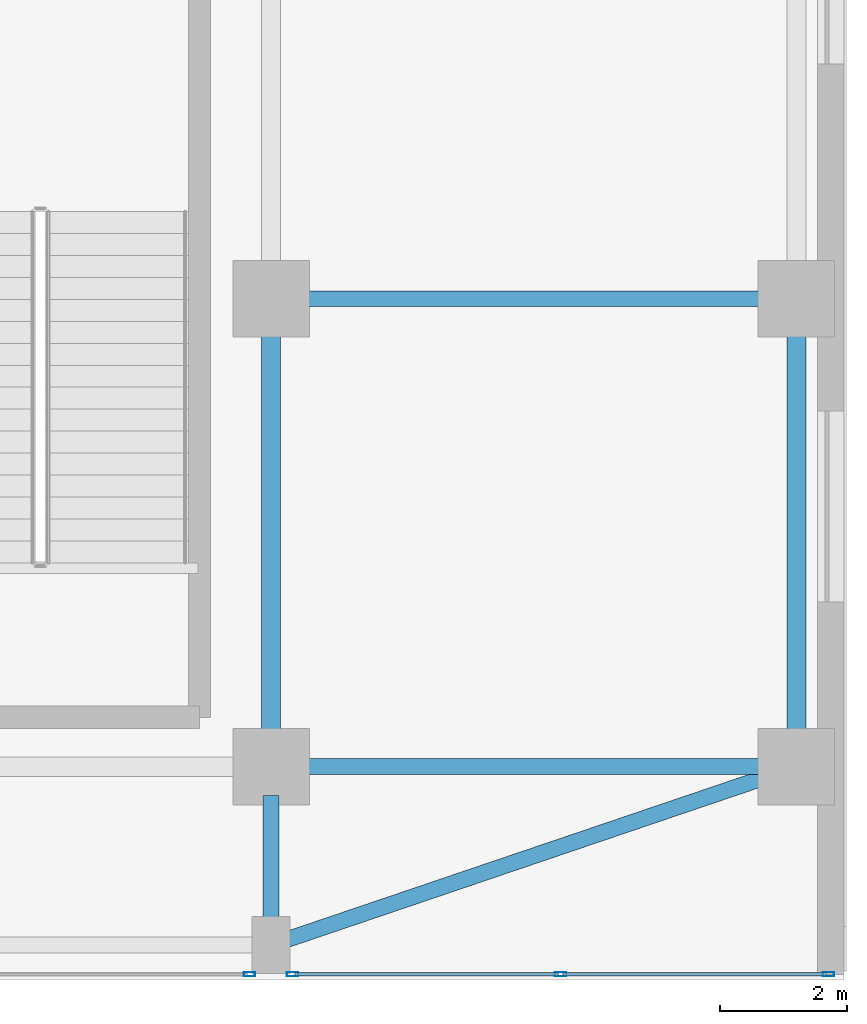
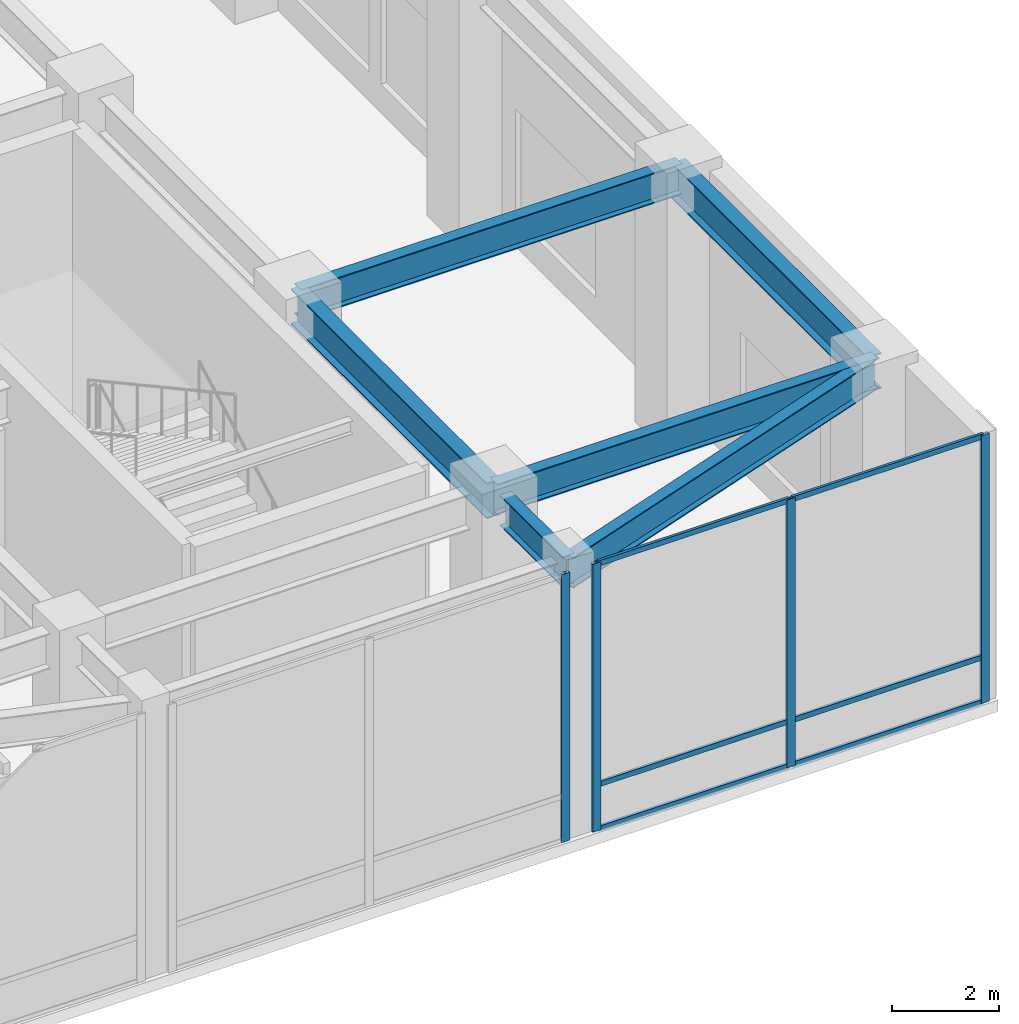
# One storey, part 34 of 50: 10 members, 6 beams, 2 elements without a shape of their own.
"""IFC4 building model written with IfcOpenShell, lengths in metres."""

from ifc_helpers import new_model, si_unit, direction, frame, origin, origin_2d, place, context, subcontext, project, spatial, hollow_rectangle, i_section, extrude, source, transform, mapped, material, layer, layer_set, material_profile, profile_set, type_object, type_shapes, element, aggregate, save


model = new_model("IFC4")

# Units and contexts
model_context = context("Model", 3, precision=1e-05, world=origin(), true_north=direction((0.0, 1.0)))
body_context = subcontext(model_context, "Body", "Model", "MODEL_VIEW")
ifc_project = project(units=[si_unit("LENGTHUNIT", "METRE"), si_unit("AREAUNIT", "SQUARE_METRE"), si_unit("VOLUMEUNIT", "CUBIC_METRE"), si_unit("PLANEANGLEUNIT", "RADIAN"), si_unit("MASSUNIT", "GRAM", prefix="KILO")], contexts=[model_context])

# Site, building, storey
site_placement = place(None, origin())
site = spatial("IfcSite", under=ifc_project, at=site_placement, CompositionType="ELEMENT")
building_placement = place(site_placement, origin())
building = spatial("IfcBuilding", under=site, at=building_placement, Name="Tolvann Quenvar Hotel", CompositionType="ELEMENT")
storey_placement = place(building_placement, frame((0.0, 0.0, 16.0)))
storey = spatial("IfcBuildingStorey", under=building, at=storey_placement, Name="L03", CompositionType="ELEMENT", Elevation=16.0)

# Beams
ifc_material_1 = material(Name="Steel Grade 350", Category="steel")
ifc_material_profile_1 = material_profile(ifc_material_1, i_section(OverallWidth=0.300048828125, OverallDepth=0.81591796875, WebThickness=0.010009765625, FlangeThickness=0.028076171875, at=origin_2d()), Name="800WB192")
ifc_profile_set_1 = profile_set([ifc_material_profile_1], Name="Steel Grade 350")
beam_type_1 = type_object("IfcBeamType", Name="BM_GIRD_800WB192", PredefinedType="BEAM", material=ifc_profile_set_1)
shared_shape_1 = source(origin(), body_context, "Body", "SweptSolid", [
    extrude(i_section(OverallWidth=0.300048828125, OverallDepth=0.81591796875, WebThickness=0.010009765625, FlangeThickness=0.028076171875, at=origin_2d()), origin(), (0.0, 0.0, 1.0), 7.349853515625),
])
type_shapes(beam_type_1, [shared_shape_1])
for number, where, z_axis, x_axis, name in (
    (1, (56.39990234375, 0.85009765625, 5.73193359375), (0.0, 1.0, 0.0), (-1.0, 0.0, 0.0), "BM-L03-NS-J-0"),
    (2, (64.64990234375, 0.85009765625, 5.73193359375), (0.0, 1.0, 0.0), (-1.0, 0.0, 0.0), "BM-L03-NS-K-0"),
):
    element("IfcBeam", number, at=place(storey_placement, frame(where, z_axis=z_axis, x_axis=x_axis)), inside=storey, type_object=beam_type_1, Name=name, PredefinedType="BEAM", context=body_context, shape_type="MappedRepresentation", body=[
        mapped(shared_shape_1, transform((0.0, 0.0, 0.0), x_axis=(1.0, 0.0, 0.0), y_axis=(0.0, 1.0, 0.0), z_axis=(0.0, 0.0, 1.0), scale=1.0)),
    ])
ifc_material_profile_2 = material_profile(ifc_material_1, i_section(OverallWidth=0.25, OverallDepth=0.699951171875, WebThickness=0.010009765625, FlangeThickness=0.02392578125, at=origin_2d()), Name="700WB150")
ifc_profile_set_2 = profile_set([ifc_material_profile_2], Name="Steel Grade 350")
beam_type_2 = type_object("IfcBeamType", Name="BM_GIRD_700WB150", PredefinedType="BEAM", material=ifc_profile_set_2)
shared_shape_2 = source(origin(), body_context, "Body", "SweptSolid", [
    extrude(i_section(OverallWidth=0.25, OverallDepth=0.699951171875, WebThickness=0.010009765625, FlangeThickness=0.02392578125, at=origin_2d()), origin(), (0.0, 0.0, 1.0), 8.25),
])
for number, where, z_axis, x_axis, name in (
    (3, (56.39990234375, 0.85009765625, 5.7900390625), (1.0, 0.0, 0.0), (0.0, 1.0, 0.0), "BM-L03-GE3-1"),
    (4, (56.39990234375, 8.199951171875, 5.7900390625), (1.0, 0.0, 0.0), (0.0, 1.0, 0.0), "BM-L03-GE3-2"),
):
    element("IfcBeam", number, at=place(storey_placement, frame(where, z_axis=z_axis, x_axis=x_axis)), inside=storey, type_object=beam_type_2, Name=name, PredefinedType="BEAM", context=body_context, shape_type="MappedRepresentation", body=[
        mapped(shared_shape_2, transform((0.0, 0.0, 0.0), x_axis=(1.0, 0.0, 0.0), y_axis=(0.0, 1.0, 0.0), z_axis=(0.0, 0.0, 1.0), scale=1.0)),
    ])
shared_shape_3 = source(origin(), body_context, "Body", "SweptSolid", [
    extrude(i_section(OverallWidth=0.25, OverallDepth=0.699951171875, WebThickness=0.010009765625, FlangeThickness=0.02392578125, at=origin_2d()), origin(), (0.0, 0.0, 1.0), 2.349853515625),
])
beam_1_placement = place(storey_placement, frame((56.39990234375, -1.949951171875, 5.7900390625), z_axis=(0.0, 1.0, 0.0), x_axis=(-1.0, 0.0, 0.0)))
element("IfcBeam", 5, at=beam_1_placement, inside=storey, type_object=beam_type_2, Name="BM-L03-NSS-J", PredefinedType="BEAM", context=body_context, shape_type="MappedRepresentation", body=[
    mapped(shared_shape_3, transform((0.0, 0.0, 0.0), x_axis=(1.0, 0.0, 0.0), y_axis=(0.0, 1.0, 0.0), z_axis=(0.0, 0.0, 1.0), scale=1.0)),
])
shared_shape_4 = source(origin(), body_context, "Body", "SweptSolid", [
    extrude(i_section(OverallWidth=0.25, OverallDepth=0.699951171875, WebThickness=0.010009765625, FlangeThickness=0.02392578125, at=origin_2d()), origin(), (0.0, 0.0, 1.0), 8.712158203125),
])
type_shapes(beam_type_2, [shared_shape_2, shared_shape_3, shared_shape_4])
beam_2_placement = place(storey_placement, frame((56.39990234375, -1.949951171875, 5.7900390625), z_axis=(0.946945808453, 0.32139327288, 0.0), x_axis=(-0.32139327288, 0.946945808453, 0.0)))
element("IfcBeam", 6, at=beam_2_placement, inside=storey, type_object=beam_type_2, Name="BM-L03-EWS-E2", PredefinedType="BEAM", context=body_context, shape_type="MappedRepresentation", body=[
    mapped(shared_shape_4, transform((0.0, 0.0, 0.0), x_axis=(1.0, 0.0, 0.0), y_axis=(0.0, 1.0, 0.0), z_axis=(0.0, 0.0, 1.0), scale=1.0)),
])

# Curtain wall, members
ifc_material_2 = material(Name="Thermally broken anodised architectural aluminium 6063-T6 and laminated low-E glass", Category="aluminium")
ifc_layer = layer(ifc_material_2, 0.179931640625)
ifc_layer_set = layer_set([ifc_layer], Name="Thermally broken anodised architectural aluminium 6063-T6 and laminated low-E glass")
curtain_wall_type = type_object("IfcCurtainWallType", Name="CW_SYS_BALL_02", PredefinedType="USERDEFINED", material=ifc_layer_set)
curtain_wall_1_placement = place(storey_placement, origin())
curtain_wall_1 = element("IfcCurtainWall", 7, at=curtain_wall_1_placement, inside=storey, type_object=curtain_wall_type, Name="Curtain Wall CW-BALL-02 (CWR-L03-E04-S3)", ObjectType="UNITISED CURTAIN WALL", PredefinedType="USERDEFINED")
ifc_material_3 = material(Name="Anodised architectural aluminium 6063-T6 framing", Category="aluminium")
ifc_material_profile_3 = material_profile(ifc_material_3, hollow_rectangle(XDim=0.06005859375, YDim=0.1201171875, WallThickness=0.00341796875, at=origin_2d()), Name="120x60x3.5RHS")
ifc_profile_set_3 = profile_set([ifc_material_profile_3], Name="Anodised architectural aluminium 6063-T6 framing")
member_type_1 = type_object("IfcMemberType", Name="CW_TRAN_120x60", PredefinedType="USERDEFINED", material=ifc_profile_set_3)
shared_shape_5 = source(origin(), body_context, "Body", "SweptSolid", [
    extrude(hollow_rectangle(XDim=0.06005859375, YDim=0.1201171875, WallThickness=0.00341796875, at=origin_2d()), origin(), (0.0, 0.0, 1.0), 4.13818359375),
])
type_shapes(member_type_1, [shared_shape_5])
member_1_placement = place(storey_placement, frame((56.77392578125, -2.409912109375, 0.030029296875), z_axis=(1.0, 0.0, 0.0), x_axis=(0.0, 1.0, 0.0)))
member_1 = element("IfcMember", 8, at=member_1_placement, type_object=member_type_1, Name="CW-BALL-02 transom 1.1", ObjectType="TRANSOM", PredefinedType="USERDEFINED", context=body_context, shape_type="MappedRepresentation", body=[
    mapped(shared_shape_5, transform((0.0, 0.0, 0.0), x_axis=(1.0, 0.0, 0.0), y_axis=(0.0, 1.0, 0.0), z_axis=(0.0, 0.0, 1.0), scale=1.0)),
])
member_2_placement = place(storey_placement, frame((56.77392578125, -2.409912109375, 1.050048828125), z_axis=(1.0, 0.0, 0.0), x_axis=(0.0, 1.0, 0.0)))
member_2 = element("IfcMember", 9, at=member_2_placement, type_object=member_type_1, Name="CW-BALL-02 transom 1.2", ObjectType="TRANSOM", PredefinedType="USERDEFINED", context=body_context, shape_type="MappedRepresentation", body=[
    mapped(shared_shape_5, transform((0.0, 0.0, 0.0), x_axis=(1.0, 0.0, 0.0), y_axis=(0.0, 1.0, 0.0), z_axis=(0.0, 0.0, 1.0), scale=1.0)),
])
member_3_placement = place(storey_placement, frame((56.77392578125, -2.409912109375, 6.110107421875), z_axis=(1.0, 0.0, 0.0), x_axis=(0.0, 1.0, 0.0)))
member_3 = element("IfcMember", 10, at=member_3_placement, type_object=member_type_1, Name="CW-BALL-02 transom 1.3", ObjectType="TRANSOM", PredefinedType="USERDEFINED", context=body_context, shape_type="MappedRepresentation", body=[
    mapped(shared_shape_5, transform((0.0, 0.0, 0.0), x_axis=(1.0, 0.0, 0.0), y_axis=(0.0, 1.0, 0.0), z_axis=(0.0, 0.0, 1.0), scale=1.0)),
])
member_4_placement = place(storey_placement, frame((60.98193359375, -2.409912109375, 0.030029296875), z_axis=(1.0, 0.0, 0.0), x_axis=(0.0, 1.0, 0.0)))
member_4 = element("IfcMember", 11, at=member_4_placement, type_object=member_type_1, Name="CW-BALL-02 transom 2.1", ObjectType="TRANSOM", PredefinedType="USERDEFINED", context=body_context, shape_type="MappedRepresentation", body=[
    mapped(shared_shape_5, transform((0.0, 0.0, 0.0), x_axis=(1.0, 0.0, 0.0), y_axis=(0.0, 1.0, 0.0), z_axis=(0.0, 0.0, 1.0), scale=1.0)),
])
member_5_placement = place(storey_placement, frame((60.98193359375, -2.409912109375, 1.050048828125), z_axis=(1.0, 0.0, 0.0), x_axis=(0.0, 1.0, 0.0)))
member_5 = element("IfcMember", 12, at=member_5_placement, type_object=member_type_1, Name="CW-BALL-02 transom 2.2", ObjectType="TRANSOM", PredefinedType="USERDEFINED", context=body_context, shape_type="MappedRepresentation", body=[
    mapped(shared_shape_5, transform((0.0, 0.0, 0.0), x_axis=(1.0, 0.0, 0.0), y_axis=(0.0, 1.0, 0.0), z_axis=(0.0, 0.0, 1.0), scale=1.0)),
])
member_6_placement = place(storey_placement, frame((60.98193359375, -2.409912109375, 6.110107421875), z_axis=(1.0, 0.0, 0.0), x_axis=(0.0, 1.0, 0.0)))
member_6 = element("IfcMember", 13, at=member_6_placement, type_object=member_type_1, Name="CW-BALL-02 transom 2.3", ObjectType="TRANSOM", PredefinedType="USERDEFINED", context=body_context, shape_type="MappedRepresentation", body=[
    mapped(shared_shape_5, transform((0.0, 0.0, 0.0), x_axis=(1.0, 0.0, 0.0), y_axis=(0.0, 1.0, 0.0), z_axis=(0.0, 0.0, 1.0), scale=1.0)),
])

# Curtain wall, member
curtain_wall_2_placement = place(storey_placement, origin())
curtain_wall_2 = element("IfcCurtainWall", 14, at=curtain_wall_2_placement, inside=storey, type_object=curtain_wall_type, Name="Curtain Wall CW-BALL-02 (CWR-L03-E04-S2)", ObjectType="UNITISED CURTAIN WALL", PredefinedType="USERDEFINED")
ifc_material_profile_4 = material_profile(ifc_material_3, hollow_rectangle(XDim=0.070068359375, YDim=0.179931640625, WallThickness=0.00390625, at=origin_2d()), Name="180x70x4RHS")
ifc_profile_set_4 = profile_set([ifc_material_profile_4], Name="Anodised architectural aluminium 6063-T6 framing")
member_type_2 = type_object("IfcMemberType", Name="CW_MULL_180x70", PredefinedType="MULLION", material=ifc_profile_set_4)
shared_shape_6 = source(origin(), body_context, "Body", "SweptSolid", [
    extrude(hollow_rectangle(XDim=0.070068359375, YDim=0.179931640625, WallThickness=0.00390625, at=origin_2d()), origin(), (0.0, 0.0, 1.0), 6.139892578125),
])
type_shapes(member_type_2, [shared_shape_6])
member_7_placement = place(storey_placement, frame((56.06103515625, -2.409912109375, 0.0), z_axis=(0.0, 0.0, 1.0), x_axis=(0.0, 1.0, 0.0)))
member_7 = element("IfcMember", 15, at=member_7_placement, type_object=member_type_2, Name="CW-BALL-02 mullion 3", PredefinedType="MULLION", context=body_context, shape_type="MappedRepresentation", body=[
    mapped(shared_shape_6, transform((0.0, 0.0, 0.0), x_axis=(1.0, 0.0, 0.0), y_axis=(0.0, 1.0, 0.0), z_axis=(0.0, 0.0, 1.0), scale=1.0)),
])
aggregate(curtain_wall_2, [member_7])

# Member
member_8_placement = place(storey_placement, frame((56.739013671875, -2.409912109375, 0.0), z_axis=(0.0, 0.0, 1.0), x_axis=(0.0, 1.0, 0.0)))
member_8 = element("IfcMember", 16, at=member_8_placement, type_object=member_type_2, Name="CW-BALL-02 mullion 1", PredefinedType="MULLION", context=body_context, shape_type="MappedRepresentation", body=[
    mapped(shared_shape_6, transform((0.0, 0.0, 0.0), x_axis=(1.0, 0.0, 0.0), y_axis=(0.0, 1.0, 0.0), z_axis=(0.0, 0.0, 1.0), scale=1.0)),
])

member_9_placement = place(storey_placement, frame((60.947021484375, -2.409912109375, 0.0), z_axis=(0.0, 0.0, 1.0), x_axis=(0.0, 1.0, 0.0)))
member_9 = element("IfcMember", 17, at=member_9_placement, type_object=member_type_2, Name="CW-BALL-02 mullion 2", PredefinedType="MULLION", context=body_context, shape_type="MappedRepresentation", body=[
    mapped(shared_shape_6, transform((0.0, 0.0, 0.0), x_axis=(1.0, 0.0, 0.0), y_axis=(0.0, 1.0, 0.0), z_axis=(0.0, 0.0, 1.0), scale=1.0)),
])

member_10_placement = place(storey_placement, frame((65.155029296875, -2.409912109375, 0.0), z_axis=(0.0, 0.0, 1.0), x_axis=(0.0, 1.0, 0.0)))
member_10 = element("IfcMember", 18, at=member_10_placement, type_object=member_type_2, Name="CW-BALL-02 mullion 3", PredefinedType="MULLION", context=body_context, shape_type="MappedRepresentation", body=[
    mapped(shared_shape_6, transform((0.0, 0.0, 0.0), x_axis=(1.0, 0.0, 0.0), y_axis=(0.0, 1.0, 0.0), z_axis=(0.0, 0.0, 1.0), scale=1.0)),
])

aggregate(curtain_wall_1, [member_8, member_9, member_10, member_1, member_2, member_3, member_4, member_5, member_6])

save(model, "model.ifc")
